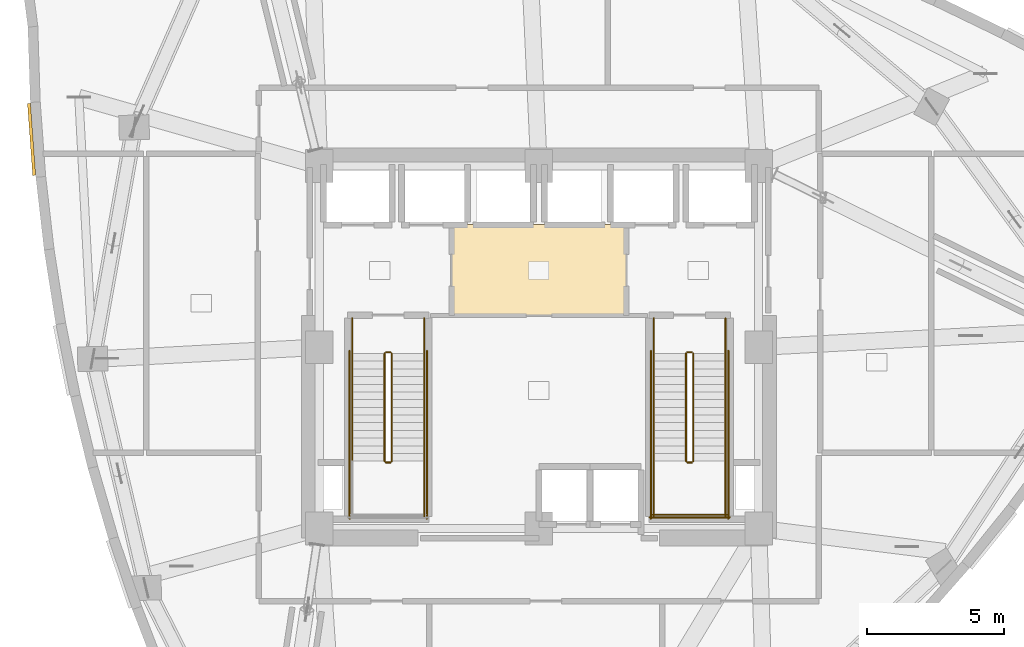
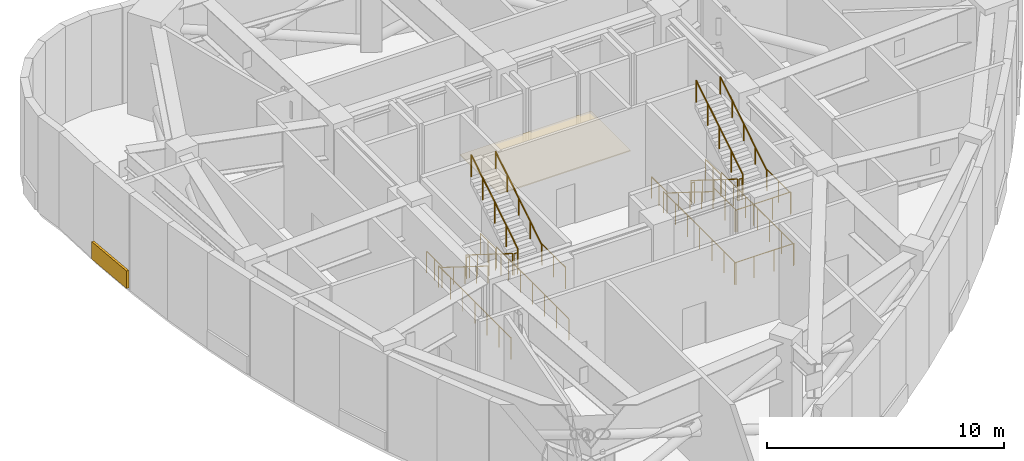
# One storey, part 11 of 12: 25 railings, 2 coverings.
"""IFC4 building model written with IfcOpenShell, lengths in metres."""

from ifc_helpers import new_model, si_unit, direction, frame, origin, origin_2d, place, context, subcontext, project, spatial, rectangle, circle, extrude, material, layer, layer_set, type_object, element, save


model = new_model("IFC4")

# Units and contexts
model_context = context("Model", 3, precision=1e-05, world=origin(), true_north=direction((0.0, 1.0)))
body_context = subcontext(model_context, "Body", "Model", "MODEL_VIEW")
ifc_project = project(units=[si_unit("LENGTHUNIT", "METRE"), si_unit("AREAUNIT", "SQUARE_METRE"), si_unit("VOLUMEUNIT", "CUBIC_METRE"), si_unit("PLANEANGLEUNIT", "RADIAN"), si_unit("MASSUNIT", "GRAM", prefix="KILO")], contexts=[model_context])

# Site, building, storey
site_placement = place(None, origin())
site = spatial("IfcSite", under=ifc_project, at=site_placement, CompositionType="ELEMENT")
building_placement = place(site_placement, origin())
building = spatial("IfcBuilding", under=site, at=building_placement, Name="Ndelora Gate Hotel", CompositionType="ELEMENT")
storey_placement = place(building_placement, frame((0.0, 0.0, 168.5)))
storey = spatial("IfcBuildingStorey", under=building, at=storey_placement, Name="L42", CompositionType="ELEMENT", Elevation=168.5)

# Coverings
ifc_material_1 = material(Name="Perforated Acoustic Gypsum Board", Category="gypsum")
ifc_layer_1 = layer(ifc_material_1, 0.054931640625)
ifc_layer_set_1 = layer_set([ifc_layer_1], Name="Perforated Acoustic Gypsum Board")
covering_type_1 = type_object("IfcCoveringType", Name="COV-CEIL-AC60", PredefinedType="CEILING", material=ifc_layer_set_1)
covering_1_placement = place(storey_placement, frame((0.0, 2.800048828125, 2.72265625), z_axis=(0.0, 0.0, 1.0), x_axis=(1.0, 0.0, 0.0)))
element("IfcCovering", 1, at=covering_1_placement, inside=storey, type_object=covering_type_1, Name="L42 Lift Lobby Acoustic Ceiling", PredefinedType="CEILING", context=body_context, shape_type="SweptSolid", body=[
    extrude(rectangle(XDim=6.39990234375, YDim=3.340087890625, at=origin_2d()), origin(), (0.0, 0.0, 1.0), 0.054931640625),
])
ifc_material_2 = material(Name="Terracotta Fired Clay Brick Slip Cladding", Category="masonry")
ifc_layer_2 = layer(ifc_material_2, 0.110107421875)
ifc_layer_set_2 = layer_set([ifc_layer_2], Name="Terracotta Fired Clay Brick Slip Cladding")
covering_type_2 = type_object("IfcCoveringType", Name="COV-CLAD-BRK", PredefinedType="CLADDING", material=ifc_layer_set_2)
covering_2_placement = place(storey_placement, frame((-18.482177734375, 7.57373046875, 0.10009765625), z_axis=(0.0, 0.0, 1.0), x_axis=(-0.072715994473, 0.997352687943, 0.0)))
element("IfcCovering", 2, at=covering_2_placement, inside=storey, type_object=covering_type_2, Name="L42 Rounded-Corner Brick Cladding Band 10", PredefinedType="CLADDING", context=body_context, shape_type="SweptSolid", body=[
    extrude(rectangle(XDim=2.6279296875, YDim=0.110107421875, at=origin_2d()), origin(), (0.0, 0.0, 1.0), 0.89990234375),
])

# Railings
ifc_material_3 = material(Name="Painted Galvanized Steel Balustrade", Category="steel")
ifc_layer_3 = layer(ifc_material_3, 0.06005859375)
ifc_layer_set_3 = layer_set([ifc_layer_3], Name="Painted Galvanized Steel Balustrade")
railing_type_1 = type_object("IfcRailingType", Name="RL-STAIR-GD", PredefinedType="GUARDRAIL", material=ifc_layer_set_3)
railing_1_placement = place(storey_placement, frame((-5.6201171875, -0.22998046875, 0.175048828125)))
element("IfcRailing", 3, at=railing_1_placement, inside=storey, type_object=railing_type_1, Name="L42 ST4 stair guard 1", PredefinedType="GUARDRAIL", context=body_context, shape_type="SweptSolid", body=[
    extrude(circle(Radius=0.02392578125, at=origin_2d()), frame((0.0, 0.0, 1.10595703125), z_axis=(0.0, -0.847998304005, 0.529998940003), x_axis=(1.0, 0.0, 0.0)), (0.0, 0.0, 1.0), 4.62255859375),
    extrude(circle(Radius=0.02099609375, at=origin_2d()), origin(), (0.0, 0.0, 1.0), 1.081787109375),
    extrude(circle(Radius=0.02099609375, at=origin_2d()), frame((0.0, -0.97998046875, 0.612548828125)), (0.0, 0.0, 1.0), 1.081787109375),
    extrude(circle(Radius=0.02099609375, at=origin_2d()), frame((0.0, -1.9599609375, 1.22509765625)), (0.0, 0.0, 1.0), 1.081787109375),
    extrude(circle(Radius=0.02099609375, at=origin_2d()), frame((0.0, -2.93994140625, 1.83740234375)), (0.0, 0.0, 1.0), 1.081787109375),
    extrude(circle(Radius=0.02099609375, at=origin_2d()), frame((0.0, -3.919921875, 2.449951171875)), (0.0, 0.0, 1.0), 1.081787109375),
])
railing_2_placement = place(storey_placement, frame((-5.570068359375, -4.199951171875, 2.625)))
element("IfcRailing", 4, at=railing_2_placement, inside=storey, type_object=railing_type_1, Name="L42 ST4 stair guard 2", PredefinedType="GUARDRAIL", context=body_context, shape_type="SweptSolid", body=[
    extrude(circle(Radius=0.02392578125, at=origin_2d()), frame((0.0, 0.0, 1.10595703125), z_axis=(1.0, 0.0, 0.0), x_axis=(0.0, 1.0, 0.0)), (0.0, 0.0, 1.0), 0.16015625),
    extrude(circle(Radius=0.02099609375, at=origin_2d()), origin(), (0.0, 0.0, 1.0), 1.081787109375),
    extrude(circle(Radius=0.02099609375, at=origin_2d()), frame((0.16015625, 0.0, 0.0)), (0.0, 0.0, 1.0), 1.081787109375),
])
railing_3_placement = place(storey_placement, frame((-4.179931640625, -4.14990234375, 2.625)))
element("IfcRailing", 5, at=railing_3_placement, inside=storey, type_object=railing_type_1, Name="L42 ST4 stair guard 4", PredefinedType="GUARDRAIL", context=body_context, shape_type="SweptSolid", body=[
    extrude(circle(Radius=0.02392578125, at=origin_2d()), frame((0.0, 0.0, 1.10595703125), z_axis=(0.0, -1.0, 0.0), x_axis=(1.0, 0.0, 0.0)), (0.0, 0.0, 1.0), 2.0),
    extrude(circle(Radius=0.02099609375, at=origin_2d()), origin(), (0.0, 0.0, 1.0), 1.081787109375),
    extrude(circle(Radius=0.02099609375, at=origin_2d()), frame((0.0, -1.0, 0.0)), (0.0, 0.0, 1.0), 1.081787109375),
    extrude(circle(Radius=0.02099609375, at=origin_2d()), frame((0.0, -2.0, 0.0)), (0.0, 0.0, 1.0), 1.081787109375),
])
railing_4_placement = place(storey_placement, frame((-5.360107421875, -4.14990234375, 2.800048828125)))
element("IfcRailing", 6, at=railing_4_placement, inside=storey, type_object=railing_type_1, Name="L42 ST4 stair guard 6", PredefinedType="GUARDRAIL", context=body_context, shape_type="SweptSolid", body=[
    extrude(circle(Radius=0.02392578125, at=origin_2d()), frame((0.0, 0.0, 1.10595703125), z_axis=(0.0, 0.847998304005, 0.529998940003), x_axis=(-1.0, 0.0, 0.0)), (0.0, 0.0, 1.0), 4.62255859375),
    extrude(circle(Radius=0.02099609375, at=origin_2d()), origin(), (0.0, 0.0, 1.0), 1.081787109375),
    extrude(circle(Radius=0.02099609375, at=origin_2d()), frame((0.0, 0.97998046875, 0.612548828125)), (0.0, 0.0, 1.0), 1.081787109375),
    extrude(circle(Radius=0.02099609375, at=origin_2d()), frame((0.0, 1.9599609375, 1.22509765625)), (0.0, 0.0, 1.0), 1.081787109375),
    extrude(circle(Radius=0.02099609375, at=origin_2d()), frame((0.0, 2.93994140625, 1.83740234375)), (0.0, 0.0, 1.0), 1.081787109375),
    extrude(circle(Radius=0.02099609375, at=origin_2d()), frame((0.0, 3.919921875, 2.449951171875)), (0.0, 0.0, 1.0), 1.081787109375),
])
railing_5_placement = place(storey_placement, frame((-5.570068359375, -0.179931640625, 0.0)))
element("IfcRailing", 7, at=railing_5_placement, inside=storey, type_object=railing_type_1, Name="L42 ST4 stair guard 7", PredefinedType="GUARDRAIL", context=body_context, shape_type="SweptSolid", body=[
    extrude(circle(Radius=0.02392578125, at=origin_2d()), frame((0.0, 0.0, 1.10595703125), z_axis=(1.0, 0.0, 0.0), x_axis=(0.0, 1.0, 0.0)), (0.0, 0.0, 1.0), 0.16015625),
    extrude(circle(Radius=0.02099609375, at=origin_2d()), origin(), (0.0, 0.0, 1.0), 1.081787109375),
    extrude(circle(Radius=0.02099609375, at=origin_2d()), frame((0.16015625, 0.0, 0.0)), (0.0, 0.0, 1.0), 1.081787109375),
])
for number, where, name in (
    (8, (-6.800048828125, 1.050048828125, 0.0), "L42 ST4 stair guard 8"),
    (9, (-4.179931640625, 1.050048828125, 0.0), "L42 ST4 stair guard 9"),
):
    element("IfcRailing", number, at=place(storey_placement, frame(where)), inside=storey, type_object=railing_type_1, Name=name, PredefinedType="GUARDRAIL", context=body_context, shape_type="SweptSolid", body=[
        extrude(circle(Radius=0.02392578125, at=origin_2d()), frame((0.0, 0.0, 1.10595703125), z_axis=(0.0, -1.0, 0.0), x_axis=(1.0, 0.0, 0.0)), (0.0, 0.0, 1.0), 1.280029296875),
        extrude(circle(Radius=0.02099609375, at=origin_2d()), origin(), (0.0, 0.0, 1.0), 1.081787109375),
        extrude(circle(Radius=0.02099609375, at=origin_2d()), frame((0.0, -0.64013671875, 0.0)), (0.0, 0.0, 1.0), 1.081787109375),
        extrude(circle(Radius=0.02099609375, at=origin_2d()), frame((0.0, -1.280029296875, 0.0)), (0.0, 0.0, 1.0), 1.081787109375),
    ])
for number, where, name in (
    (10, (-6.89990234375, -0.1298828125, 0.0), "L42 ST4 stair guard 10"),
    (11, (-4.080078125, -0.1298828125, 0.0), "L42 ST4 stair guard 11"),
):
    element("IfcRailing", number, at=place(storey_placement, frame(where)), inside=storey, type_object=railing_type_1, Name=name, PredefinedType="GUARDRAIL", context=body_context, shape_type="SweptSolid", body=[
        extrude(circle(Radius=0.02392578125, at=origin_2d()), frame((0.0, 0.0, 1.10595703125), z_axis=(0.0, -1.0, 0.0), x_axis=(1.0, 0.0, 0.0)), (0.0, 0.0, 1.0), 6.1201171875),
        extrude(circle(Radius=0.02099609375, at=origin_2d()), origin(), (0.0, 0.0, 1.0), 1.081787109375),
        extrude(circle(Radius=0.02099609375, at=origin_2d()), frame((0.0, -1.02001953125, 0.0)), (0.0, 0.0, 1.0), 1.081787109375),
        extrude(circle(Radius=0.02099609375, at=origin_2d()), frame((0.0, -2.0400390625, 0.0)), (0.0, 0.0, 1.0), 1.081787109375),
        extrude(circle(Radius=0.02099609375, at=origin_2d()), frame((0.0, -3.06005859375, 0.0)), (0.0, 0.0, 1.0), 1.081787109375),
        extrude(circle(Radius=0.02099609375, at=origin_2d()), frame((0.0, -4.080078125, 0.0)), (0.0, 0.0, 1.0), 1.081787109375),
        extrude(circle(Radius=0.02099609375, at=origin_2d()), frame((0.0, -5.10009765625, 0.0)), (0.0, 0.0, 1.0), 1.081787109375),
        extrude(circle(Radius=0.02099609375, at=origin_2d()), frame((0.0, -6.1201171875, 0.0)), (0.0, 0.0, 1.0), 1.081787109375),
    ])
railing_6_placement = place(storey_placement, frame((5.360107421875, -0.22998046875, 0.175048828125)))
element("IfcRailing", 12, at=railing_6_placement, inside=storey, type_object=railing_type_1, Name="L42 ST5 stair guard 1", PredefinedType="GUARDRAIL", context=body_context, shape_type="SweptSolid", body=[
    extrude(circle(Radius=0.02392578125, at=origin_2d()), frame((0.0, 0.0, 1.10595703125), z_axis=(0.0, -0.847998304005, 0.529998940003), x_axis=(1.0, 0.0, 0.0)), (0.0, 0.0, 1.0), 4.62255859375),
    extrude(circle(Radius=0.02099609375, at=origin_2d()), origin(), (0.0, 0.0, 1.0), 1.081787109375),
    extrude(circle(Radius=0.02099609375, at=origin_2d()), frame((0.0, -0.97998046875, 0.612548828125)), (0.0, 0.0, 1.0), 1.081787109375),
    extrude(circle(Radius=0.02099609375, at=origin_2d()), frame((0.0, -1.9599609375, 1.22509765625)), (0.0, 0.0, 1.0), 1.081787109375),
    extrude(circle(Radius=0.02099609375, at=origin_2d()), frame((0.0, -2.93994140625, 1.83740234375)), (0.0, 0.0, 1.0), 1.081787109375),
    extrude(circle(Radius=0.02099609375, at=origin_2d()), frame((0.0, -3.919921875, 2.449951171875)), (0.0, 0.0, 1.0), 1.081787109375),
])
railing_7_placement = place(storey_placement, frame((5.409912109375, -4.199951171875, 2.625)))
element("IfcRailing", 13, at=railing_7_placement, inside=storey, type_object=railing_type_1, Name="L42 ST5 stair guard 2", PredefinedType="GUARDRAIL", context=body_context, shape_type="SweptSolid", body=[
    extrude(circle(Radius=0.02392578125, at=origin_2d()), frame((0.0, 0.0, 1.10595703125), z_axis=(1.0, 0.0, 0.0), x_axis=(0.0, 1.0, 0.0)), (0.0, 0.0, 1.0), 0.16015625),
    extrude(circle(Radius=0.02099609375, at=origin_2d()), origin(), (0.0, 0.0, 1.0), 1.081787109375),
    extrude(circle(Radius=0.02099609375, at=origin_2d()), frame((0.16015625, 0.0, 0.0)), (0.0, 0.0, 1.0), 1.081787109375),
])
for number, where, name in (
    (14, (4.179931640625, -4.14990234375, 2.625), "L42 ST5 stair guard 3"),
    (15, (6.800048828125, -4.14990234375, 2.625), "L42 ST5 stair guard 4"),
):
    element("IfcRailing", number, at=place(storey_placement, frame(where)), inside=storey, type_object=railing_type_1, Name=name, PredefinedType="GUARDRAIL", context=body_context, shape_type="SweptSolid", body=[
        extrude(circle(Radius=0.02392578125, at=origin_2d()), frame((0.0, 0.0, 1.10595703125), z_axis=(0.0, -1.0, 0.0), x_axis=(1.0, 0.0, 0.0)), (0.0, 0.0, 1.0), 2.0),
        extrude(circle(Radius=0.02099609375, at=origin_2d()), origin(), (0.0, 0.0, 1.0), 1.081787109375),
        extrude(circle(Radius=0.02099609375, at=origin_2d()), frame((0.0, -1.0, 0.0)), (0.0, 0.0, 1.0), 1.081787109375),
        extrude(circle(Radius=0.02099609375, at=origin_2d()), frame((0.0, -2.0, 0.0)), (0.0, 0.0, 1.0), 1.081787109375),
    ])
railing_8_placement = place(storey_placement, frame((4.1298828125, -6.10009765625, 2.625)))
element("IfcRailing", 16, at=railing_8_placement, inside=storey, type_object=railing_type_1, Name="L42 ST5 stair guard 5", PredefinedType="GUARDRAIL", context=body_context, shape_type="SweptSolid", body=[
    extrude(circle(Radius=0.02392578125, at=origin_2d()), frame((0.0, 0.0, 1.10595703125), z_axis=(1.0, 0.0, 0.0), x_axis=(0.0, 1.0, 0.0)), (0.0, 0.0, 1.0), 2.72021484375),
    extrude(circle(Radius=0.02099609375, at=origin_2d()), origin(), (0.0, 0.0, 1.0), 1.081787109375),
    extrude(circle(Radius=0.02099609375, at=origin_2d()), frame((0.90673828125, 0.0, 0.0)), (0.0, 0.0, 1.0), 1.081787109375),
    extrude(circle(Radius=0.02099609375, at=origin_2d()), frame((1.8134765625, 0.0, 0.0)), (0.0, 0.0, 1.0), 1.081787109375),
    extrude(circle(Radius=0.02099609375, at=origin_2d()), frame((2.72021484375, 0.0, 0.0)), (0.0, 0.0, 1.0), 1.081787109375),
])
railing_9_placement = place(storey_placement, frame((5.6201171875, -4.14990234375, 2.800048828125)))
element("IfcRailing", 17, at=railing_9_placement, inside=storey, type_object=railing_type_1, Name="L42 ST5 stair guard 6", PredefinedType="GUARDRAIL", context=body_context, shape_type="SweptSolid", body=[
    extrude(circle(Radius=0.02392578125, at=origin_2d()), frame((0.0, 0.0, 1.10595703125), z_axis=(0.0, 0.847998304005, 0.529998940003), x_axis=(-1.0, 0.0, 0.0)), (0.0, 0.0, 1.0), 4.62255859375),
    extrude(circle(Radius=0.02099609375, at=origin_2d()), origin(), (0.0, 0.0, 1.0), 1.081787109375),
    extrude(circle(Radius=0.02099609375, at=origin_2d()), frame((0.0, 0.97998046875, 0.612548828125)), (0.0, 0.0, 1.0), 1.081787109375),
    extrude(circle(Radius=0.02099609375, at=origin_2d()), frame((0.0, 1.9599609375, 1.22509765625)), (0.0, 0.0, 1.0), 1.081787109375),
    extrude(circle(Radius=0.02099609375, at=origin_2d()), frame((0.0, 2.93994140625, 1.83740234375)), (0.0, 0.0, 1.0), 1.081787109375),
    extrude(circle(Radius=0.02099609375, at=origin_2d()), frame((0.0, 3.919921875, 2.449951171875)), (0.0, 0.0, 1.0), 1.081787109375),
])
railing_10_placement = place(storey_placement, frame((5.409912109375, -0.179931640625, 0.0)))
element("IfcRailing", 18, at=railing_10_placement, inside=storey, type_object=railing_type_1, Name="L42 ST5 stair guard 7", PredefinedType="GUARDRAIL", context=body_context, shape_type="SweptSolid", body=[
    extrude(circle(Radius=0.02392578125, at=origin_2d()), frame((0.0, 0.0, 1.10595703125), z_axis=(1.0, 0.0, 0.0), x_axis=(0.0, 1.0, 0.0)), (0.0, 0.0, 1.0), 0.16015625),
    extrude(circle(Radius=0.02099609375, at=origin_2d()), origin(), (0.0, 0.0, 1.0), 1.081787109375),
    extrude(circle(Radius=0.02099609375, at=origin_2d()), frame((0.16015625, 0.0, 0.0)), (0.0, 0.0, 1.0), 1.081787109375),
])
for number, where, name in (
    (19, (4.179931640625, 1.050048828125, 0.0), "L42 ST5 stair guard 8"),
    (20, (6.800048828125, 1.050048828125, 0.0), "L42 ST5 stair guard 9"),
):
    element("IfcRailing", number, at=place(storey_placement, frame(where)), inside=storey, type_object=railing_type_1, Name=name, PredefinedType="GUARDRAIL", context=body_context, shape_type="SweptSolid", body=[
        extrude(circle(Radius=0.02392578125, at=origin_2d()), frame((0.0, 0.0, 1.10595703125), z_axis=(0.0, -1.0, 0.0), x_axis=(1.0, 0.0, 0.0)), (0.0, 0.0, 1.0), 1.280029296875),
        extrude(circle(Radius=0.02099609375, at=origin_2d()), origin(), (0.0, 0.0, 1.0), 1.081787109375),
        extrude(circle(Radius=0.02099609375, at=origin_2d()), frame((0.0, -0.64013671875, 0.0)), (0.0, 0.0, 1.0), 1.081787109375),
        extrude(circle(Radius=0.02099609375, at=origin_2d()), frame((0.0, -1.280029296875, 0.0)), (0.0, 0.0, 1.0), 1.081787109375),
    ])
for number, where, name in (
    (21, (4.080078125, -0.1298828125, 0.0), "L42 ST5 stair guard 10"),
    (22, (6.89990234375, -0.1298828125, 0.0), "L42 ST5 stair guard 11"),
):
    element("IfcRailing", number, at=place(storey_placement, frame(where)), inside=storey, type_object=railing_type_1, Name=name, PredefinedType="GUARDRAIL", context=body_context, shape_type="SweptSolid", body=[
        extrude(circle(Radius=0.02392578125, at=origin_2d()), frame((0.0, 0.0, 1.10595703125), z_axis=(0.0, -1.0, 0.0), x_axis=(1.0, 0.0, 0.0)), (0.0, 0.0, 1.0), 6.1201171875),
        extrude(circle(Radius=0.02099609375, at=origin_2d()), origin(), (0.0, 0.0, 1.0), 1.081787109375),
        extrude(circle(Radius=0.02099609375, at=origin_2d()), frame((0.0, -1.02001953125, 0.0)), (0.0, 0.0, 1.0), 1.081787109375),
        extrude(circle(Radius=0.02099609375, at=origin_2d()), frame((0.0, -2.0400390625, 0.0)), (0.0, 0.0, 1.0), 1.081787109375),
        extrude(circle(Radius=0.02099609375, at=origin_2d()), frame((0.0, -3.06005859375, 0.0)), (0.0, 0.0, 1.0), 1.081787109375),
        extrude(circle(Radius=0.02099609375, at=origin_2d()), frame((0.0, -4.080078125, 0.0)), (0.0, 0.0, 1.0), 1.081787109375),
        extrude(circle(Radius=0.02099609375, at=origin_2d()), frame((0.0, -5.10009765625, 0.0)), (0.0, 0.0, 1.0), 1.081787109375),
        extrude(circle(Radius=0.02099609375, at=origin_2d()), frame((0.0, -6.1201171875, 0.0)), (0.0, 0.0, 1.0), 1.081787109375),
    ])
railing_11_placement = place(storey_placement, frame((4.030029296875, -6.199951171875, 0.0)))
element("IfcRailing", 23, at=railing_11_placement, inside=storey, type_object=railing_type_1, Name="L42 ST5 stair guard 12", PredefinedType="GUARDRAIL", context=body_context, shape_type="SweptSolid", body=[
    extrude(circle(Radius=0.02392578125, at=origin_2d()), frame((0.0, 0.0, 1.10595703125), z_axis=(1.0, 0.0, 0.0), x_axis=(0.0, 1.0, 0.0)), (0.0, 0.0, 1.0), 2.919921875),
    extrude(circle(Radius=0.02099609375, at=origin_2d()), origin(), (0.0, 0.0, 1.0), 1.081787109375),
    extrude(circle(Radius=0.02099609375, at=origin_2d()), frame((0.973388671875, 0.0, 0.0)), (0.0, 0.0, 1.0), 1.081787109375),
    extrude(circle(Radius=0.02099609375, at=origin_2d()), frame((1.946533203125, 0.0, 0.0)), (0.0, 0.0, 1.0), 1.081787109375),
    extrude(circle(Radius=0.02099609375, at=origin_2d()), frame((2.919921875, 0.0, 0.0)), (0.0, 0.0, 1.0), 1.081787109375),
])
ifc_material_4 = material(Name="Brushed Stainless Steel 316", Category="steel")
ifc_layer_4 = layer(ifc_material_4, 0.050048828125)
ifc_layer_set_4 = layer_set([ifc_layer_4], Name="Brushed Stainless Steel 316")
railing_type_2 = type_object("IfcRailingType", Name="RL-STAIR-HR", PredefinedType="HANDRAIL", material=ifc_layer_set_4)
railing_12_placement = place(storey_placement, frame((-6.800048828125, -0.22998046875, 0.175048828125)))
element("IfcRailing", 24, at=railing_12_placement, inside=storey, type_object=railing_type_2, Name="L42 ST4 stair handrail 1", PredefinedType="HANDRAIL", context=body_context, shape_type="SweptSolid", body=[
    extrude(circle(Radius=0.02392578125, at=origin_2d()), frame((0.0, 0.0, 0.8759765625), z_axis=(0.0, -0.847998304005, 0.529998940003), x_axis=(1.0, 0.0, 0.0)), (0.0, 0.0, 1.0), 4.62255859375),
    extrude(circle(Radius=0.02099609375, at=origin_2d()), origin(), (0.0, 0.0, 1.0), 0.851806640625),
    extrude(circle(Radius=0.02099609375, at=origin_2d()), frame((0.0, -0.97998046875, 0.612548828125)), (0.0, 0.0, 1.0), 0.851806640625),
    extrude(circle(Radius=0.02099609375, at=origin_2d()), frame((0.0, -1.9599609375, 1.22509765625)), (0.0, 0.0, 1.0), 0.851806640625),
    extrude(circle(Radius=0.02099609375, at=origin_2d()), frame((0.0, -2.93994140625, 1.83740234375)), (0.0, 0.0, 1.0), 0.851806640625),
    extrude(circle(Radius=0.02099609375, at=origin_2d()), frame((0.0, -3.919921875, 2.449951171875)), (0.0, 0.0, 1.0), 0.851806640625),
])
railing_13_placement = place(storey_placement, frame((-4.179931640625, -4.14990234375, 2.800048828125)))
element("IfcRailing", 25, at=railing_13_placement, inside=storey, type_object=railing_type_2, Name="L42 ST4 stair handrail 2", PredefinedType="HANDRAIL", context=body_context, shape_type="SweptSolid", body=[
    extrude(circle(Radius=0.02392578125, at=origin_2d()), frame((0.0, 0.0, 0.8759765625), z_axis=(0.0, 0.847998304005, 0.529998940003), x_axis=(-1.0, 0.0, 0.0)), (0.0, 0.0, 1.0), 4.62255859375),
    extrude(circle(Radius=0.02099609375, at=origin_2d()), origin(), (0.0, 0.0, 1.0), 0.851806640625),
    extrude(circle(Radius=0.02099609375, at=origin_2d()), frame((0.0, 0.97998046875, 0.612548828125)), (0.0, 0.0, 1.0), 0.851806640625),
    extrude(circle(Radius=0.02099609375, at=origin_2d()), frame((0.0, 1.9599609375, 1.22509765625)), (0.0, 0.0, 1.0), 0.851806640625),
    extrude(circle(Radius=0.02099609375, at=origin_2d()), frame((0.0, 2.93994140625, 1.83740234375)), (0.0, 0.0, 1.0), 0.851806640625),
    extrude(circle(Radius=0.02099609375, at=origin_2d()), frame((0.0, 3.919921875, 2.449951171875)), (0.0, 0.0, 1.0), 0.851806640625),
])
railing_14_placement = place(storey_placement, frame((4.179931640625, -0.22998046875, 0.175048828125)))
element("IfcRailing", 26, at=railing_14_placement, inside=storey, type_object=railing_type_2, Name="L42 ST5 stair handrail 1", PredefinedType="HANDRAIL", context=body_context, shape_type="SweptSolid", body=[
    extrude(circle(Radius=0.02392578125, at=origin_2d()), frame((0.0, 0.0, 0.8759765625), z_axis=(0.0, -0.847998304005, 0.529998940003), x_axis=(1.0, 0.0, 0.0)), (0.0, 0.0, 1.0), 4.62255859375),
    extrude(circle(Radius=0.02099609375, at=origin_2d()), origin(), (0.0, 0.0, 1.0), 0.851806640625),
    extrude(circle(Radius=0.02099609375, at=origin_2d()), frame((0.0, -0.97998046875, 0.612548828125)), (0.0, 0.0, 1.0), 0.851806640625),
    extrude(circle(Radius=0.02099609375, at=origin_2d()), frame((0.0, -1.9599609375, 1.22509765625)), (0.0, 0.0, 1.0), 0.851806640625),
    extrude(circle(Radius=0.02099609375, at=origin_2d()), frame((0.0, -2.93994140625, 1.83740234375)), (0.0, 0.0, 1.0), 0.851806640625),
    extrude(circle(Radius=0.02099609375, at=origin_2d()), frame((0.0, -3.919921875, 2.449951171875)), (0.0, 0.0, 1.0), 0.851806640625),
])
railing_15_placement = place(storey_placement, frame((6.800048828125, -4.14990234375, 2.800048828125)))
element("IfcRailing", 27, at=railing_15_placement, inside=storey, type_object=railing_type_2, Name="L42 ST5 stair handrail 2", PredefinedType="HANDRAIL", context=body_context, shape_type="SweptSolid", body=[
    extrude(circle(Radius=0.02392578125, at=origin_2d()), frame((0.0, 0.0, 0.8759765625), z_axis=(0.0, 0.847998304005, 0.529998940003), x_axis=(-1.0, 0.0, 0.0)), (0.0, 0.0, 1.0), 4.62255859375),
    extrude(circle(Radius=0.02099609375, at=origin_2d()), origin(), (0.0, 0.0, 1.0), 0.851806640625),
    extrude(circle(Radius=0.02099609375, at=origin_2d()), frame((0.0, 0.97998046875, 0.612548828125)), (0.0, 0.0, 1.0), 0.851806640625),
    extrude(circle(Radius=0.02099609375, at=origin_2d()), frame((0.0, 1.9599609375, 1.22509765625)), (0.0, 0.0, 1.0), 0.851806640625),
    extrude(circle(Radius=0.02099609375, at=origin_2d()), frame((0.0, 2.93994140625, 1.83740234375)), (0.0, 0.0, 1.0), 0.851806640625),
    extrude(circle(Radius=0.02099609375, at=origin_2d()), frame((0.0, 3.919921875, 2.449951171875)), (0.0, 0.0, 1.0), 0.851806640625),
])

save(model, "model.ifc")
